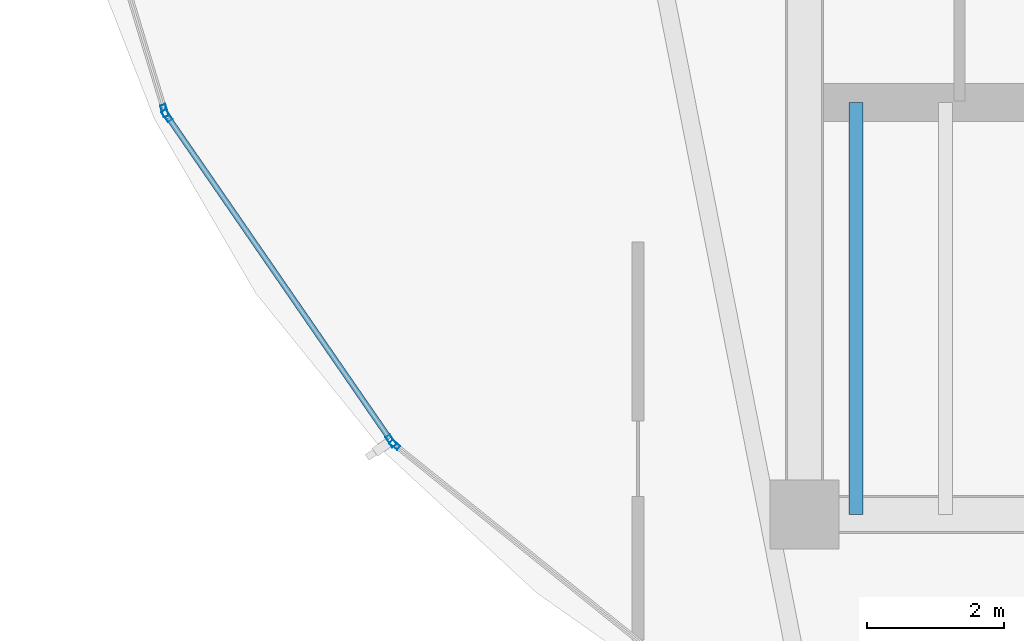
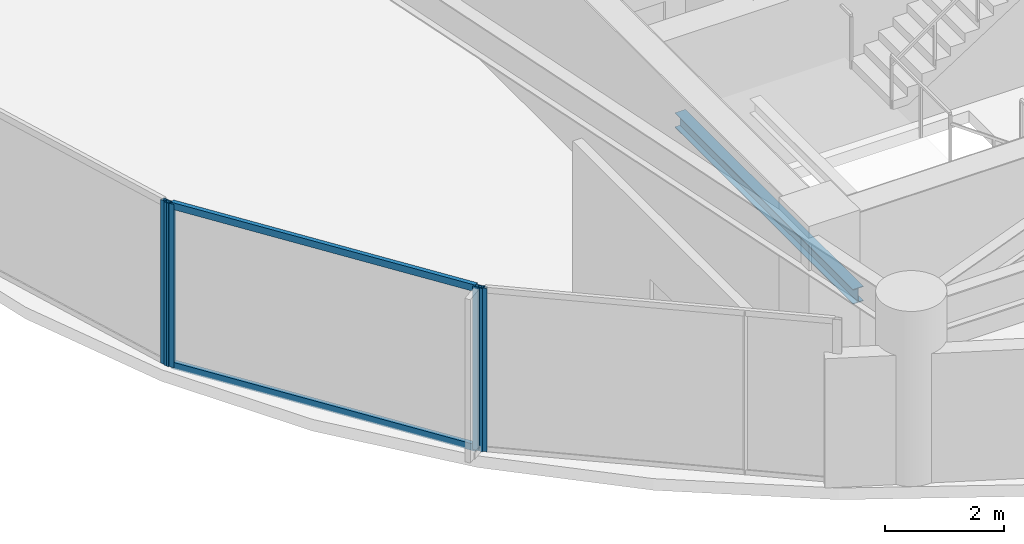
# One storey, part 3 of 34: 6 members, 1 beam, 3 elements without a shape of their own.
"""IFC4 building model written with IfcOpenShell, lengths in metres."""

from ifc_helpers import new_model, si_unit, direction, frame, origin, origin_2d, place, context, subcontext, project, spatial, hollow_rectangle, i_section, extrude, material, layer, layer_set, material_profile, profile_set, type_object, element, aggregate, save


model = new_model("IFC4")

# Units and contexts
model_context = context("Model", 3, precision=1e-05, world=origin(), true_north=direction((0.0, 1.0)))
body_context = subcontext(model_context, "Body", "Model", "MODEL_VIEW")
ifc_project = project(units=[si_unit("LENGTHUNIT", "METRE"), si_unit("AREAUNIT", "SQUARE_METRE"), si_unit("VOLUMEUNIT", "CUBIC_METRE"), si_unit("PLANEANGLEUNIT", "RADIAN"), si_unit("MASSUNIT", "GRAM", prefix="KILO")], contexts=[model_context])

# Site, building, storey
site_placement = place(None, origin())
site = spatial("IfcSite", under=ifc_project, at=site_placement, CompositionType="ELEMENT")
building_placement = place(site_placement, origin())
building = spatial("IfcBuilding", under=site, at=building_placement, Name="Kazevale Care Tower and Concert Hall", CompositionType="ELEMENT")
storey_placement = place(building_placement, frame((0.0, 0.0, 167.39990234375)))
storey = spatial("IfcBuildingStorey", under=building, at=storey_placement, Name="L44", CompositionType="ELEMENT", Elevation=167.39990234375)

# Curtain wall, members
ifc_material_1 = material(Name="Aluminium 6063-T6 and Low-E Glass", Category="aluminium")
ifc_layer_1 = layer(ifc_material_1, 0.179931640625)
ifc_layer_set_1 = layer_set([ifc_layer_1], Name="Aluminium 6063-T6 and Low-E Glass")
curtain_wall_type_1 = type_object("IfcCurtainWallType", Name="Waist & Upper Residential Curtain Wall CW-4", PredefinedType="NOTDEFINED", material=ifc_layer_set_1)
curtain_wall_1_placement = place(storey_placement, origin())
curtain_wall_1 = element("IfcCurtainWall", 1, at=curtain_wall_1_placement, inside=storey, type_object=curtain_wall_type_1, Name="cw:L44:f11", PredefinedType="NOTDEFINED")
ifc_material_2 = material(Name="Aluminium 6063-T6", Category="aluminium")
ifc_material_profile_1 = material_profile(ifc_material_2, hollow_rectangle(XDim=0.080078125, YDim=0.179931640625, WallThickness=0.0048828125, at=origin_2d()), Name="ALU80x180x5")
ifc_profile_set_1 = profile_set([ifc_material_profile_1], Name="Aluminium 6063-T6")
member_type_1 = type_object("IfcMemberType", Name="CW-4 Mullion ALU80x180x5", PredefinedType="MULLION", material=ifc_profile_set_1)
member_1_placement = place(storey_placement, frame((15.981201171875, 24.6708984375, 0.0), z_axis=(0.0, 0.0, 1.0), x_axis=(-0.823326035997, -0.567568708131, 0.0)))
member_1 = element("IfcMember", 2, at=member_1_placement, type_object=member_type_1, Name="CW-4 mullion 1", PredefinedType="MULLION", context=body_context, shape_type="SweptSolid", body=[
    extrude(hollow_rectangle(XDim=0.080078125, YDim=0.179931640625, WallThickness=0.0048828125, at=origin_2d()), origin(), (0.0, 0.0, 1.0), 3.360107421875),
])
member_2_placement = place(storey_placement, frame((12.7158203125, 29.407958984375, 0.0), z_axis=(0.0, 0.0, 1.0), x_axis=(-0.823326035997, -0.567568708131, 0.0)))
member_2 = element("IfcMember", 3, at=member_2_placement, type_object=member_type_1, Name="CW-4 mullion 2", PredefinedType="MULLION", context=body_context, shape_type="SweptSolid", body=[
    extrude(hollow_rectangle(XDim=0.080078125, YDim=0.179931640625, WallThickness=0.0048828125, at=origin_2d()), origin(), (0.0, 0.0, 1.0), 3.360107421875),
])

# Curtain wall, member
curtain_wall_2_placement = place(storey_placement, origin())
curtain_wall_2 = element("IfcCurtainWall", 4, at=curtain_wall_2_placement, inside=storey, type_object=curtain_wall_type_1, Name="cw:L44:f12", PredefinedType="NOTDEFINED")
member_3_placement = place(storey_placement, frame((12.681396484375, 29.479248046875, 0.0), z_axis=(0.0, 0.0, 1.0), x_axis=(-0.956729897234, -0.290977496961, 0.0)))
member_3 = element("IfcMember", 5, at=member_3_placement, type_object=member_type_1, Name="CW-4 mullion 1", PredefinedType="MULLION", context=body_context, shape_type="SweptSolid", body=[
    extrude(hollow_rectangle(XDim=0.080078125, YDim=0.179931640625, WallThickness=0.0048828125, at=origin_2d()), origin(), (0.0, 0.0, 1.0), 3.360107421875),
])
aggregate(curtain_wall_2, [member_3])

# Member
ifc_material_profile_2 = material_profile(ifc_material_2, hollow_rectangle(XDim=0.080078125, YDim=0.139892578125, WallThickness=0.00390625, at=origin_2d()), Name="ALU80x140x4")
ifc_profile_set_2 = profile_set([ifc_material_profile_2], Name="Aluminium 6063-T6")
member_type_2 = type_object("IfcMemberType", Name="CW-4 Transom ALU80x140x4", PredefinedType="USERDEFINED", material=ifc_profile_set_2)
member_4_placement = place(storey_placement, frame((15.95849609375, 24.703857421875, 0.0400390625), z_axis=(-0.567532833811, 0.823350765194, 0.0), x_axis=(-0.823350765194, -0.567532833811, 0.0)))
member_4 = element("IfcMember", 6, at=member_4_placement, type_object=member_type_2, Name="CW-4 transom 1.1", ObjectType="TRANSOM", PredefinedType="USERDEFINED", context=body_context, shape_type="SweptSolid", body=[
    extrude(hollow_rectangle(XDim=0.080078125, YDim=0.139892578125, WallThickness=0.00390625, at=origin_2d()), origin(), (0.0, 0.0, 1.0), 5.673583984375),
])

member_5_placement = place(storey_placement, frame((15.95849609375, 24.703857421875, 3.320068359375), z_axis=(-0.567532833811, 0.823350765194, 0.0), x_axis=(-0.823350765194, -0.567532833811, 0.0)))
member_5 = element("IfcMember", 7, at=member_5_placement, type_object=member_type_2, Name="CW-4 transom 1.2", ObjectType="TRANSOM", PredefinedType="USERDEFINED", context=body_context, shape_type="SweptSolid", body=[
    extrude(hollow_rectangle(XDim=0.080078125, YDim=0.139892578125, WallThickness=0.00390625, at=origin_2d()), origin(), (0.0, 0.0, 1.0), 5.673583984375),
])

aggregate(curtain_wall_1, [member_1, member_2, member_4, member_5])

# Curtain wall, member
ifc_layer_2 = layer(ifc_material_1, 0.179931640625)
ifc_layer_set_2 = layer_set([ifc_layer_2], Name="Aluminium 6063-T6 and Low-E Glass")
curtain_wall_type_2 = type_object("IfcCurtainWallType", Name="Sheltered Concave Balcony Curtain Wall CW-5", PredefinedType="NOTDEFINED", material=ifc_layer_set_2)
curtain_wall_3_placement = place(storey_placement, origin())
curtain_wall_3 = element("IfcCurtainWall", 8, at=curtain_wall_3_placement, inside=storey, type_object=curtain_wall_type_2, Name="cw:L44:f10", PredefinedType="NOTDEFINED")
ifc_material_profile_3 = material_profile(ifc_material_2, hollow_rectangle(XDim=0.074951171875, YDim=0.14990234375, WallThickness=0.00390625, at=origin_2d()), Name="ALU75x150x4")
ifc_profile_set_3 = profile_set([ifc_material_profile_3], Name="Aluminium 6063-T6")
member_type_3 = type_object("IfcMemberType", Name="CW-5 Mullion ALU75x150x4", PredefinedType="MULLION", material=ifc_profile_set_3)
member_6_placement = place(storey_placement, frame((16.033203125, 24.614501953125, 0.0), z_axis=(0.0, 0.0, 1.0), x_axis=(-0.626905357502, -0.779095419531, 0.0)))
member_6 = element("IfcMember", 9, at=member_6_placement, type_object=member_type_3, Name="CW-5 mullion 2", PredefinedType="MULLION", context=body_context, shape_type="SweptSolid", body=[
    extrude(hollow_rectangle(XDim=0.074951171875, YDim=0.14990234375, WallThickness=0.00390625, at=origin_2d()), origin(), (0.0, 0.0, 1.0), 3.360107421875),
])
aggregate(curtain_wall_3, [member_6])

# Beam
ifc_material_3 = material(Name="Steel ASTM A572 Gr 50", Category="steel")
ifc_material_profile_4 = material_profile(ifc_material_3, i_section(OverallWidth=0.202880859375, OverallDepth=0.302978515625, WebThickness=0.007568359375, FlangeThickness=0.01318359375, at=origin_2d()), Name="W310x60")
ifc_profile_set_4 = profile_set([ifc_material_profile_4], Name="Steel ASTM A572 Gr 50")
beam_type = type_object("IfcBeamType", Name="Stair & Balcony Trimmer W310x60", PredefinedType="BEAM", material=ifc_profile_set_4)
beam_placement = place(storey_placement, frame((22.75, 23.60009765625, 1.448486328125), z_axis=(0.0, 1.0, 0.0), x_axis=(-1.0, 0.0, 0.0)))
element("IfcBeam", 10, at=beam_placement, inside=storey, type_object=beam_type, Name="beam:L44:sttrim:ST1", PredefinedType="BEAM", context=body_context, shape_type="SweptSolid", body=[
    extrude(i_section(OverallWidth=0.202880859375, OverallDepth=0.302978515625, WebThickness=0.007568359375, FlangeThickness=0.01318359375, at=origin_2d()), origin(), (0.0, 0.0, 1.0), 6.0),
])

save(model, "model.ifc")
